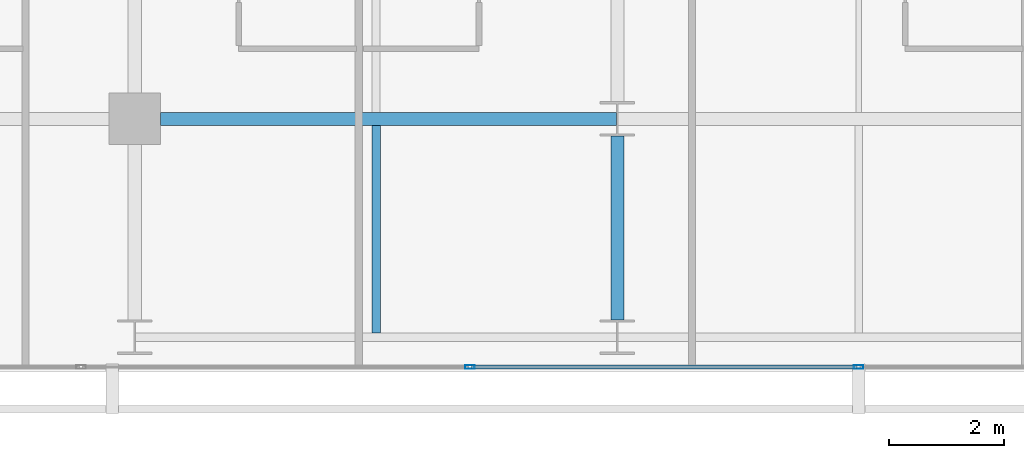
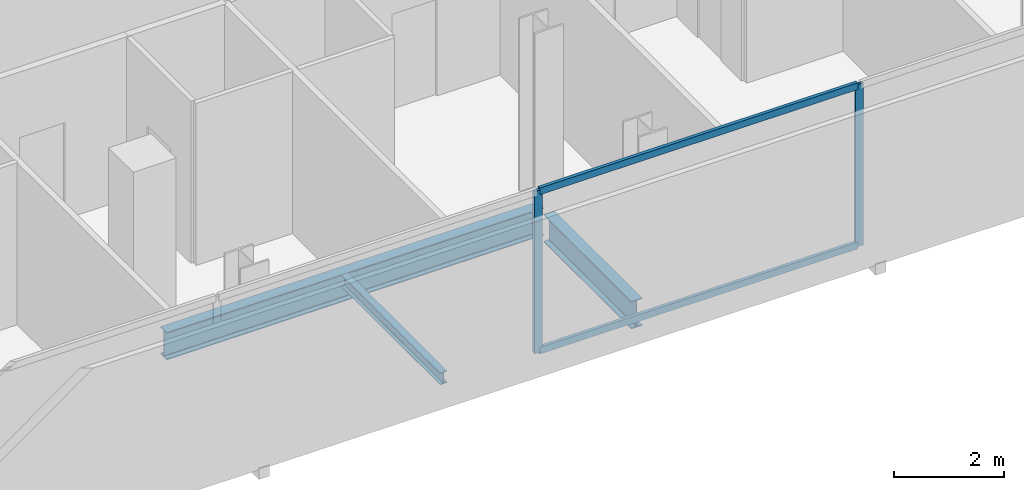
# One storey, part 6 of 34: 4 members, 3 beams, 1 element without a shape of its own.
"""IFC4 building model written with IfcOpenShell, lengths in metres."""

from ifc_helpers import new_model, si_unit, direction, frame, origin, origin_2d, place, context, subcontext, project, spatial, hollow_rectangle, i_section, extrude, material, layer, layer_set, material_profile, profile_set, type_object, element, aggregate, save


model = new_model("IFC4")

# Units and contexts
model_context = context("Model", 3, precision=1e-05, world=origin(), true_north=direction((0.0, 1.0)))
body_context = subcontext(model_context, "Body", "Model", "MODEL_VIEW")
ifc_project = project(units=[si_unit("LENGTHUNIT", "METRE"), si_unit("AREAUNIT", "SQUARE_METRE"), si_unit("VOLUMEUNIT", "CUBIC_METRE"), si_unit("PLANEANGLEUNIT", "RADIAN"), si_unit("MASSUNIT", "GRAM", prefix="KILO")], contexts=[model_context])

# Site, building, storey
site_placement = place(None, origin())
site = spatial("IfcSite", under=ifc_project, at=site_placement, CompositionType="ELEMENT")
building_placement = place(site_placement, origin())
building = spatial("IfcBuilding", under=site, at=building_placement, Name="Maruvema Waterfront Hotel and Observation Tower", CompositionType="ELEMENT")
storey_placement = place(building_placement, frame((0.0, 0.0, 131.25)))
storey = spatial("IfcBuildingStorey", under=building, at=storey_placement, Name="L31", CompositionType="ELEMENT", Elevation=131.25)

# Curtain wall, members
ifc_material_1 = material(Name="Anodised bronze aluminium and solar-control low-E IGU", Category="aluminium")
ifc_layer = layer(ifc_material_1, 0.159912109375, Name="Zone 2 Amber Inner Thermal Curtain Wall System CW-03")
ifc_layer_set = layer_set([ifc_layer], Name="Anodised bronze aluminium and solar-control low-E IGU")
curtain_wall_type = type_object("IfcCurtainWallType", Name="Zone 2 Amber Inner Thermal Curtain Wall System CW-03", PredefinedType="USERDEFINED", material=ifc_layer_set)
curtain_wall_placement = place(storey_placement, origin())
curtain_wall = element("IfcCurtainWall", 1, at=curtain_wall_placement, inside=storey, type_object=curtain_wall_type, Name="L31 Curtain Wall CW-L31-S", ObjectType="UNITISED CURTAIN WALL", PredefinedType="USERDEFINED")
ifc_material_2 = material(Name="Anodised architectural bronze aluminium", Category="aluminium")
ifc_material_profile_1 = material_profile(ifc_material_2, hollow_rectangle(XDim=0.070068359375, YDim=0.14990234375, WallThickness=0.00390625, at=origin_2d()), Name="ALU-T70x150")
ifc_profile_set_1 = profile_set([ifc_material_profile_1], Name="Anodised architectural bronze aluminium")
member_type_1 = type_object("IfcMemberType", Name="Curtain Wall Horizontal Transom ALU-T70x150", PredefinedType="USERDEFINED", material=ifc_profile_set_1)
member_1_placement = place(storey_placement, frame((31.063232421875, 4.679931640625, 0.030029296875), z_axis=(1.0, 0.0, 0.0), x_axis=(0.0, 1.0, 0.0)))
member_1 = element("IfcMember", 2, at=member_1_placement, type_object=member_type_1, Name="CW-03 transom 3.1", ObjectType="TRANSOM", PredefinedType="USERDEFINED", context=body_context, shape_type="SweptSolid", body=[
    extrude(hollow_rectangle(XDim=0.070068359375, YDim=0.14990234375, WallThickness=0.00390625, at=origin_2d()), origin(), (0.0, 0.0, 1.0), 6.706787109375),
])
member_2_placement = place(storey_placement, frame((31.063232421875, 4.679931640625, 3.580078125), z_axis=(1.0, 0.0, 0.0), x_axis=(0.0, 1.0, 0.0)))
member_2 = element("IfcMember", 3, at=member_2_placement, type_object=member_type_1, Name="CW-03 transom 3.2", ObjectType="TRANSOM", PredefinedType="USERDEFINED", context=body_context, shape_type="SweptSolid", body=[
    extrude(hollow_rectangle(XDim=0.070068359375, YDim=0.14990234375, WallThickness=0.00390625, at=origin_2d()), origin(), (0.0, 0.0, 1.0), 6.706787109375),
])
ifc_material_3 = material(Name="Anodised architectural bronze aluminium", Category="aluminium")
ifc_material_profile_2 = material_profile(ifc_material_3, hollow_rectangle(XDim=0.06494140625, YDim=0.1650390625, WallThickness=0.00390625, at=origin_2d()), Name="ALU-M65x165")
ifc_profile_set_2 = profile_set([ifc_material_profile_2], Name="Anodised architectural bronze aluminium")
member_type_2 = type_object("IfcMemberType", Name="Curtain Wall Primary Mullion ALU-M65x165", PredefinedType="MULLION", material=ifc_profile_set_2)
member_3_placement = place(storey_placement, frame((31.033447265625, 4.679931640625, 0.0), z_axis=(0.0, 0.0, 1.0), x_axis=(0.0, 1.0, 0.0)))
member_3 = element("IfcMember", 4, at=member_3_placement, type_object=member_type_2, Name="CW-03 mullion 3", PredefinedType="MULLION", context=body_context, shape_type="SweptSolid", body=[
    extrude(hollow_rectangle(XDim=0.06494140625, YDim=0.1650390625, WallThickness=0.00390625, at=origin_2d()), origin(), (0.0, 0.0, 1.0), 3.610107421875),
])
member_4_placement = place(storey_placement, frame((37.800048828125, 4.679931640625, 0.0), z_axis=(0.0, 0.0, 1.0), x_axis=(0.0, 1.0, 0.0)))
member_4 = element("IfcMember", 5, at=member_4_placement, type_object=member_type_2, Name="CW-03 mullion 4", PredefinedType="MULLION", context=body_context, shape_type="SweptSolid", body=[
    extrude(hollow_rectangle(XDim=0.06494140625, YDim=0.1650390625, WallThickness=0.00390625, at=origin_2d()), origin(), (0.0, 0.0, 1.0), 3.610107421875),
])
aggregate(curtain_wall, [member_3, member_4, member_1, member_2])

# Beams
ifc_material_4 = material(Name="Steel ASTM A572 Grade 50", Category="steel")
ifc_material_profile_3 = material_profile(ifc_material_4, i_section(OverallWidth=0.22900390625, OverallDepth=0.612060546875, WebThickness=0.011962890625, FlangeThickness=0.01953125, FilletRadius=0.01806640625, at=origin_2d()), Name="W610x125.0")
ifc_profile_set_3 = profile_set([ifc_material_profile_3], Name="Steel ASTM A572 Grade 50")
beam_type_1 = type_object("IfcBeamType", Name="Primary Floor Girder W610x125.0", PredefinedType="BEAM", material=ifc_profile_set_3)
beam_1_placement = place(storey_placement, frame((25.64990234375, 9.0, -0.5458984375), z_axis=(1.0, 0.0, 0.0), x_axis=(0.0, 1.0, 0.0)))
element("IfcBeam", 6, at=beam_1_placement, inside=storey, type_object=beam_type_1, Name="L31 Floor Girder EW-06", PredefinedType="BEAM", context=body_context, shape_type="SweptSolid", body=[
    extrude(i_section(OverallWidth=0.22900390625, OverallDepth=0.612060546875, WebThickness=0.011962890625, FlangeThickness=0.01953125, FilletRadius=0.01806640625, at=origin_2d()), origin(), (0.0, 0.0, 1.0), 7.9375),
])
beam_2_placement = place(storey_placement, frame((33.60009765625, 5.5, -0.5458984375), z_axis=(0.0, 1.0, 0.0), x_axis=(-1.0, 0.0, 0.0)))
element("IfcBeam", 7, at=beam_2_placement, inside=storey, type_object=beam_type_1, Name="L31 Floor Girder NS-14", PredefinedType="BEAM", context=body_context, shape_type="SweptSolid", body=[
    extrude(i_section(OverallWidth=0.22900390625, OverallDepth=0.612060546875, WebThickness=0.011962890625, FlangeThickness=0.01953125, FilletRadius=0.01806640625, at=origin_2d()), origin(), (0.0, 0.0, 1.0), 3.199951171875),
])
ifc_material_5 = material(Name="Steel ASTM A572 Grade 50", Category="steel")
ifc_material_profile_4 = material_profile(ifc_material_5, i_section(OverallWidth=0.14794921875, OverallDepth=0.26611328125, WebThickness=0.007568359375, FlangeThickness=0.012939453125, FilletRadius=0.012939453125, at=origin_2d()), Name="W250x44.8")
ifc_profile_set_4 = profile_set([ifc_material_profile_4], Name="Steel ASTM A572 Grade 50")
beam_type_2 = type_object("IfcBeamType", Name="Secondary Floor Joist W250x44.8", PredefinedType="JOIST", material=ifc_profile_set_4)
beam_3_placement = place(storey_placement, frame((29.39990234375, 5.276611328125, -0.373046875), z_axis=(0.0, 1.0, 0.0), x_axis=(-1.0, 0.0, 0.0)))
element("IfcBeam", 8, at=beam_3_placement, inside=storey, type_object=beam_type_2, Name="L31 Secondary Floor Joist JS-05", PredefinedType="JOIST", context=body_context, shape_type="SweptSolid", body=[
    extrude(i_section(OverallWidth=0.14794921875, OverallDepth=0.26611328125, WebThickness=0.007568359375, FlangeThickness=0.012939453125, FilletRadius=0.012939453125, at=origin_2d()), origin(), (0.0, 0.0, 1.0), 3.60888671875),
])

save(model, "model.ifc")
